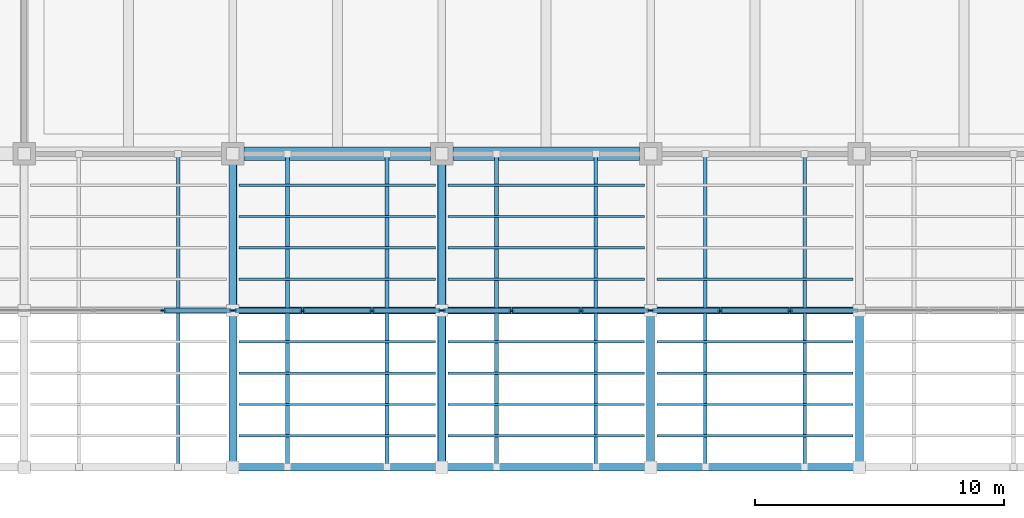
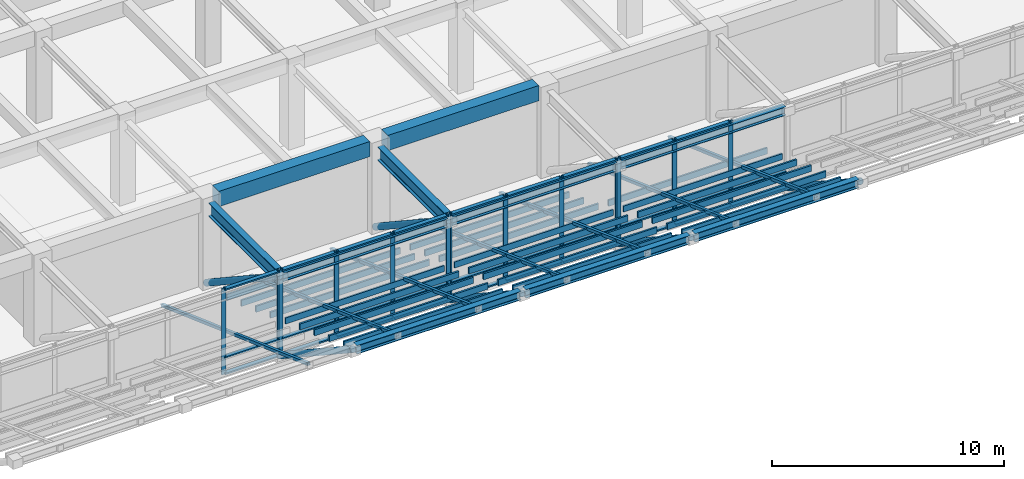
# One storey, part 11 of 52: 79 members, 10 beams, 4 elements without a shape of their own.
"""IFC4 building model written with IfcOpenShell, lengths in metres."""

from ifc_helpers import new_model, si_unit, direction, frame, origin, origin_2d, place, context, subcontext, project, spatial, rectangle, hollow_rectangle, hollow_circle, i_section, extrude, material, material_profile, profile_set, type_object, element, aggregate, save


model = new_model("IFC4")

# Units and contexts
model_context = context("Model", 3, precision=1e-05, world=origin(), true_north=direction((0.0, 1.0)))
body_context = subcontext(model_context, "Body", "Model", "MODEL_VIEW")
ifc_project = project(units=[si_unit("LENGTHUNIT", "METRE"), si_unit("AREAUNIT", "SQUARE_METRE"), si_unit("VOLUMEUNIT", "CUBIC_METRE"), si_unit("PLANEANGLEUNIT", "RADIAN"), si_unit("MASSUNIT", "GRAM", prefix="KILO")], contexts=[model_context])

# Site, building, storey
site_placement = place(None, origin())
site = spatial("IfcSite", under=ifc_project, at=site_placement, CompositionType="ELEMENT")
building_placement = place(site_placement, origin())
building = spatial("IfcBuilding", under=site, at=building_placement, Name="Kenerak Square Central Library", CompositionType="ELEMENT")
storey_placement = place(building_placement, frame((0.0, 0.0, 4.800048828125)))
storey = spatial("IfcBuildingStorey", under=building, at=storey_placement, Name="L01", CompositionType="ELEMENT", Elevation=4.800048828125)

# Members
ifc_material_1 = material(Name="Chengal hardwood timber SG1", Category="wood")
ifc_material_profile_1 = material_profile(ifc_material_1, rectangle(XDim=0.090087890625, YDim=0.320068359375, at=origin_2d()), Name="CHENGAL 90x320")
ifc_profile_set_1 = profile_set([ifc_material_profile_1], Name="Chengal hardwood timber SG1")
member_type_1 = type_object("IfcMemberType", Name="Chengal Timber Louvre Blade CL-01 90x320", PredefinedType="USERDEFINED", material=ifc_profile_set_1)
for number, where, z_axis, x_axis, name in (
    (1, (75.449951171875, 15.5400390625, -0.0849609375), (1.0, 0.0, 0.0), (0.0, 1.0, 0.0), "Chengal Soffit Louvre Blade CL-01 0025"),
    (2, (75.449951171875, 14.280029296875, 0.369873046875), (1.0, 0.0, 0.0), (0.0, 1.0, 0.0), "Chengal Soffit Louvre Blade CL-01 0026"),
    (3, (75.449951171875, 13.02001953125, 0.824951171875), (1.0, 0.0, 0.0), (0.0, 1.0, 0.0), "Chengal Soffit Louvre Blade CL-01 0027"),
    (4, (75.449951171875, 11.760009765625, 1.280029296875), (1.0, 0.0, 0.0), (0.0, 1.0, 0.0), "Chengal Soffit Louvre Blade CL-01 0028"),
    (5, (75.449951171875, 10.5, 1.73486328125), (1.0, 0.0, 0.0), (0.0, 1.0, 0.0), "Chengal Soffit Louvre Blade CL-01 0029"),
    (6, (75.449951171875, 9.239990234375, 2.18994140625), (1.0, 0.0, 0.0), (0.0, 1.0, 0.0), "Chengal Soffit Louvre Blade CL-01 0030"),
    (7, (75.449951171875, 7.97998046875, 2.64501953125), (1.0, 0.0, 0.0), (0.0, 1.0, 0.0), "Chengal Soffit Louvre Blade CL-01 0031"),
    (8, (75.449951171875, 6.719970703125, 3.099853515625), (1.0, 0.0, 0.0), (0.0, 1.0, 0.0), "Chengal Soffit Louvre Blade CL-01 0032"),
    (9, (75.449951171875, 5.4599609375, 3.554931640625), (1.0, 0.0, 0.0), (0.0, 1.0, 0.0), "Chengal Soffit Louvre Blade CL-01 0033"),
):
    element("IfcMember", number, at=place(storey_placement, frame(where, z_axis=z_axis, x_axis=x_axis)), inside=storey, type_object=member_type_1, Name=name, ObjectType="LOUVRE BLADE", PredefinedType="USERDEFINED", context=body_context, shape_type="SweptSolid", body=[
        extrude(rectangle(XDim=0.090087890625, YDim=0.320068359375, at=origin_2d()), origin(), (0.0, 0.0, 1.0), 7.900146484375),
    ])
for number, where, z_axis, x_axis, name in (
    (10, (83.85009765625, 15.5400390625, -0.0849609375), (1.0, 0.0, 0.0), (0.0, 1.0, 0.0), "Chengal Soffit Louvre Blade CL-01 0036"),
    (11, (83.85009765625, 14.280029296875, 0.369873046875), (1.0, 0.0, 0.0), (0.0, 1.0, 0.0), "Chengal Soffit Louvre Blade CL-01 0037"),
    (12, (83.85009765625, 13.02001953125, 0.824951171875), (1.0, 0.0, 0.0), (0.0, 1.0, 0.0), "Chengal Soffit Louvre Blade CL-01 0038"),
    (13, (83.85009765625, 11.760009765625, 1.280029296875), (1.0, 0.0, 0.0), (0.0, 1.0, 0.0), "Chengal Soffit Louvre Blade CL-01 0039"),
    (14, (83.85009765625, 10.5, 1.73486328125), (1.0, 0.0, 0.0), (0.0, 1.0, 0.0), "Chengal Soffit Louvre Blade CL-01 0040"),
    (15, (83.85009765625, 9.239990234375, 2.18994140625), (1.0, 0.0, 0.0), (0.0, 1.0, 0.0), "Chengal Soffit Louvre Blade CL-01 0041"),
    (16, (83.85009765625, 7.97998046875, 2.64501953125), (1.0, 0.0, 0.0), (0.0, 1.0, 0.0), "Chengal Soffit Louvre Blade CL-01 0042"),
    (17, (83.85009765625, 6.719970703125, 3.099853515625), (1.0, 0.0, 0.0), (0.0, 1.0, 0.0), "Chengal Soffit Louvre Blade CL-01 0043"),
    (18, (83.85009765625, 5.4599609375, 3.554931640625), (1.0, 0.0, 0.0), (0.0, 1.0, 0.0), "Chengal Soffit Louvre Blade CL-01 0044"),
    (19, (92.25, 11.760009765625, 1.280029296875), (1.0, 0.0, 0.0), (0.0, 1.0, 0.0), "Chengal Soffit Louvre Blade CL-01 0050"),
    (20, (92.25, 10.5, 1.73486328125), (1.0, 0.0, 0.0), (0.0, 1.0, 0.0), "Chengal Soffit Louvre Blade CL-01 0051"),
    (21, (92.25, 9.239990234375, 2.18994140625), (1.0, 0.0, 0.0), (0.0, 1.0, 0.0), "Chengal Soffit Louvre Blade CL-01 0052"),
    (22, (92.25, 7.97998046875, 2.64501953125), (1.0, 0.0, 0.0), (0.0, 1.0, 0.0), "Chengal Soffit Louvre Blade CL-01 0053"),
    (23, (92.25, 6.719970703125, 3.099853515625), (1.0, 0.0, 0.0), (0.0, 1.0, 0.0), "Chengal Soffit Louvre Blade CL-01 0054"),
    (24, (92.25, 5.4599609375, 3.554931640625), (1.0, 0.0, 0.0), (0.0, 1.0, 0.0), "Chengal Soffit Louvre Blade CL-01 0055"),
):
    element("IfcMember", number, at=place(storey_placement, frame(where, z_axis=z_axis, x_axis=x_axis)), inside=storey, type_object=member_type_1, Name=name, ObjectType="LOUVRE BLADE", PredefinedType="USERDEFINED", context=body_context, shape_type="SweptSolid", body=[
        extrude(rectangle(XDim=0.090087890625, YDim=0.320068359375, at=origin_2d()), origin(), (0.0, 0.0, 1.0), 7.89990234375),
    ])

# Curtain wall, members
ifc_material_2 = material(Name="Anodised aluminium and solar-control low-E glazing", Category="aluminium")
curtain_wall_type = type_object("IfcCurtainWallType", Name="Curtain Wall CW-V1-84x45 8400x4500", PredefinedType="USERDEFINED", material=ifc_material_2)
curtain_wall_1_placement = place(storey_placement, origin())
curtain_wall_1 = element("IfcCurtainWall", 25, at=curtain_wall_1_placement, inside=storey, type_object=curtain_wall_type, Name="Curtain Wall CW-V1-84x45 L01 0050", ObjectType="CURTAIN WALL", PredefinedType="USERDEFINED")
ifc_material_3 = material(Name="Anodised aluminium 6063-T6", Category="aluminium")
ifc_material_profile_2 = material_profile(ifc_material_3, rectangle(XDim=0.074951171875, YDim=0.219970703125, at=origin_2d()), Name="AL MULLION 75x220")
ifc_profile_set_2 = profile_set([ifc_material_profile_2], Name="Anodised aluminium 6063-T6")
member_type_2 = type_object("IfcMemberType", Name="Curtain Mullion CM-02 75x220", PredefinedType="MULLION", material=ifc_profile_set_2)
member_1_placement = place(storey_placement, frame((97.60009765625, 10.5, 0.0), z_axis=(0.0, 0.0, 1.0), x_axis=(0.0, -1.0, 0.0)))
member_1 = element("IfcMember", 26, at=member_1_placement, type_object=member_type_2, Name="CW-V1-84x45 Mullion 2", PredefinedType="MULLION", context=body_context, shape_type="SweptSolid", body=[
    extrude(rectangle(XDim=0.074951171875, YDim=0.219970703125, at=origin_2d()), origin(), (0.0, 0.0, 1.0), 4.5),
])
member_2_placement = place(storey_placement, frame((94.800048828125, 10.5, 0.0), z_axis=(0.0, 0.0, 1.0), x_axis=(0.0, -1.0, 0.0)))
member_2 = element("IfcMember", 27, at=member_2_placement, type_object=member_type_2, Name="CW-V1-84x45 Mullion 3", PredefinedType="MULLION", context=body_context, shape_type="SweptSolid", body=[
    extrude(rectangle(XDim=0.074951171875, YDim=0.219970703125, at=origin_2d()), origin(), (0.0, 0.0, 1.0), 4.5),
])
member_3_placement = place(storey_placement, frame((92.03759765625, 10.5, 0.0), z_axis=(0.0, 0.0, 1.0), x_axis=(0.0, -1.0, 0.0)))
member_3 = element("IfcMember", 28, at=member_3_placement, type_object=member_type_2, Name="CW-V1-84x45 Mullion 4", PredefinedType="MULLION", context=body_context, shape_type="SweptSolid", body=[
    extrude(rectangle(XDim=0.074951171875, YDim=0.219970703125, at=origin_2d()), origin(), (0.0, 0.0, 1.0), 4.5),
])

curtain_wall_2_placement = place(storey_placement, origin())
curtain_wall_2 = element("IfcCurtainWall", 29, at=curtain_wall_2_placement, inside=storey, type_object=curtain_wall_type, Name="Curtain Wall CW-V1-84x45 L01 0051", ObjectType="CURTAIN WALL", PredefinedType="USERDEFINED")
member_4_placement = place(storey_placement, frame((91.96240234375, 10.5, 0.0), z_axis=(0.0, 0.0, 1.0), x_axis=(0.0, -1.0, 0.0)))
member_4 = element("IfcMember", 30, at=member_4_placement, type_object=member_type_2, Name="CW-V1-84x45 Mullion 1", PredefinedType="MULLION", context=body_context, shape_type="SweptSolid", body=[
    extrude(rectangle(XDim=0.074951171875, YDim=0.219970703125, at=origin_2d()), origin(), (0.0, 0.0, 1.0), 4.5),
])
member_5_placement = place(storey_placement, frame((89.199951171875, 10.5, 0.0), z_axis=(0.0, 0.0, 1.0), x_axis=(0.0, -1.0, 0.0)))
member_5 = element("IfcMember", 31, at=member_5_placement, type_object=member_type_2, Name="CW-V1-84x45 Mullion 2", PredefinedType="MULLION", context=body_context, shape_type="SweptSolid", body=[
    extrude(rectangle(XDim=0.074951171875, YDim=0.219970703125, at=origin_2d()), origin(), (0.0, 0.0, 1.0), 4.5),
])
member_6_placement = place(storey_placement, frame((86.39990234375, 10.5, 0.0), z_axis=(0.0, 0.0, 1.0), x_axis=(0.0, -1.0, 0.0)))
member_6 = element("IfcMember", 32, at=member_6_placement, type_object=member_type_2, Name="CW-V1-84x45 Mullion 3", PredefinedType="MULLION", context=body_context, shape_type="SweptSolid", body=[
    extrude(rectangle(XDim=0.074951171875, YDim=0.219970703125, at=origin_2d()), origin(), (0.0, 0.0, 1.0), 4.5),
])
member_7_placement = place(storey_placement, frame((83.637451171875, 10.5, 0.0), z_axis=(0.0, 0.0, 1.0), x_axis=(0.0, -1.0, 0.0)))
member_7 = element("IfcMember", 33, at=member_7_placement, type_object=member_type_2, Name="CW-V1-84x45 Mullion 4", PredefinedType="MULLION", context=body_context, shape_type="SweptSolid", body=[
    extrude(rectangle(XDim=0.074951171875, YDim=0.219970703125, at=origin_2d()), origin(), (0.0, 0.0, 1.0), 4.5),
])

curtain_wall_3_placement = place(storey_placement, origin())
curtain_wall_3 = element("IfcCurtainWall", 34, at=curtain_wall_3_placement, inside=storey, type_object=curtain_wall_type, Name="Curtain Wall CW-V1-84x45 L01 0052", ObjectType="CURTAIN WALL", PredefinedType="USERDEFINED")
member_8_placement = place(storey_placement, frame((83.5625, 10.5, 0.0), z_axis=(0.0, 0.0, 1.0), x_axis=(0.0, -1.0, 0.0)))
member_8 = element("IfcMember", 35, at=member_8_placement, type_object=member_type_2, Name="CW-V1-84x45 Mullion 1", PredefinedType="MULLION", context=body_context, shape_type="SweptSolid", body=[
    extrude(rectangle(XDim=0.074951171875, YDim=0.219970703125, at=origin_2d()), origin(), (0.0, 0.0, 1.0), 4.5),
])
member_9_placement = place(storey_placement, frame((80.800048828125, 10.5, 0.0), z_axis=(0.0, 0.0, 1.0), x_axis=(0.0, -1.0, 0.0)))
member_9 = element("IfcMember", 36, at=member_9_placement, type_object=member_type_2, Name="CW-V1-84x45 Mullion 2", PredefinedType="MULLION", context=body_context, shape_type="SweptSolid", body=[
    extrude(rectangle(XDim=0.074951171875, YDim=0.219970703125, at=origin_2d()), origin(), (0.0, 0.0, 1.0), 4.5),
])
member_10_placement = place(storey_placement, frame((78.0, 10.5, 0.0), z_axis=(0.0, 0.0, 1.0), x_axis=(0.0, -1.0, 0.0)))
member_10 = element("IfcMember", 37, at=member_10_placement, type_object=member_type_2, Name="CW-V1-84x45 Mullion 3", PredefinedType="MULLION", context=body_context, shape_type="SweptSolid", body=[
    extrude(rectangle(XDim=0.074951171875, YDim=0.219970703125, at=origin_2d()), origin(), (0.0, 0.0, 1.0), 4.5),
])
member_11_placement = place(storey_placement, frame((75.237548828125, 10.5, 0.0), z_axis=(0.0, 0.0, 1.0), x_axis=(0.0, -1.0, 0.0)))
member_11 = element("IfcMember", 38, at=member_11_placement, type_object=member_type_2, Name="CW-V1-84x45 Mullion 4", PredefinedType="MULLION", context=body_context, shape_type="SweptSolid", body=[
    extrude(rectangle(XDim=0.074951171875, YDim=0.219970703125, at=origin_2d()), origin(), (0.0, 0.0, 1.0), 4.5),
])

curtain_wall_4_placement = place(storey_placement, origin())
curtain_wall_4 = element("IfcCurtainWall", 39, at=curtain_wall_4_placement, inside=storey, type_object=curtain_wall_type, Name="Curtain Wall CW-V1-84x45 L01 0053", ObjectType="CURTAIN WALL", PredefinedType="USERDEFINED")
member_12_placement = place(storey_placement, frame((75.16259765625, 10.5, 0.0), z_axis=(0.0, 0.0, 1.0), x_axis=(0.0, -1.0, 0.0)))
member_12 = element("IfcMember", 40, at=member_12_placement, type_object=member_type_2, Name="CW-V1-84x45 Mullion 1", PredefinedType="MULLION", context=body_context, shape_type="SweptSolid", body=[
    extrude(rectangle(XDim=0.074951171875, YDim=0.219970703125, at=origin_2d()), origin(), (0.0, 0.0, 1.0), 4.5),
])
member_13_placement = place(storey_placement, frame((72.39990234375, 10.5, 0.0), z_axis=(0.0, 0.0, 1.0), x_axis=(0.0, -1.0, 0.0)))
member_13 = element("IfcMember", 41, at=member_13_placement, type_object=member_type_2, Name="CW-V1-84x45 Mullion 2", PredefinedType="MULLION", context=body_context, shape_type="SweptSolid", body=[
    extrude(rectangle(XDim=0.074951171875, YDim=0.219970703125, at=origin_2d()), origin(), (0.0, 0.0, 1.0), 4.5),
])

# Member
ifc_material_profile_3 = material_profile(ifc_material_3, rectangle(XDim=0.199951171875, YDim=0.074951171875, at=origin_2d()), Name="AL TRANSOM 200x75")
ifc_profile_set_3 = profile_set([ifc_material_profile_3], Name="Anodised aluminium 6063-T6")
member_type_3 = type_object("IfcMemberType", Name="Curtain Transom CT-12 200x75", PredefinedType="USERDEFINED", material=ifc_profile_set_3)
member_14_placement = place(storey_placement, frame((100.324951171875, 10.5, 0.037353515625), z_axis=(-1.0, 0.0, 0.0), x_axis=(0.0, -1.0, 0.0)))
member_14 = element("IfcMember", 42, at=member_14_placement, type_object=member_type_3, Name="CW-V1-84x45 Transom 1.1", ObjectType="TRANSOM", PredefinedType="USERDEFINED", context=body_context, shape_type="SweptSolid", body=[
    extrude(rectangle(XDim=0.199951171875, YDim=0.074951171875, at=origin_2d()), origin(), (0.0, 0.0, 1.0), 2.6875),
])

member_15_placement = place(storey_placement, frame((100.324951171875, 10.5, 0.89990234375), z_axis=(-1.0, 0.0, 0.0), x_axis=(0.0, -1.0, 0.0)))
member_15 = element("IfcMember", 43, at=member_15_placement, type_object=member_type_3, Name="CW-V1-84x45 Transom 1.2", ObjectType="TRANSOM", PredefinedType="USERDEFINED", context=body_context, shape_type="SweptSolid", body=[
    extrude(rectangle(XDim=0.199951171875, YDim=0.074951171875, at=origin_2d()), origin(), (0.0, 0.0, 1.0), 2.6875),
])

member_16_placement = place(storey_placement, frame((97.5625, 10.5, 0.037353515625), z_axis=(-1.0, 0.0, 0.0), x_axis=(0.0, -1.0, 0.0)))
member_16 = element("IfcMember", 44, at=member_16_placement, type_object=member_type_3, Name="CW-V1-84x45 Transom 2.1", ObjectType="TRANSOM", PredefinedType="USERDEFINED", context=body_context, shape_type="SweptSolid", body=[
    extrude(rectangle(XDim=0.199951171875, YDim=0.074951171875, at=origin_2d()), origin(), (0.0, 0.0, 1.0), 2.72509765625),
])

member_17_placement = place(storey_placement, frame((97.5625, 10.5, 0.89990234375), z_axis=(-1.0, 0.0, 0.0), x_axis=(0.0, -1.0, 0.0)))
member_17 = element("IfcMember", 45, at=member_17_placement, type_object=member_type_3, Name="CW-V1-84x45 Transom 2.2", ObjectType="TRANSOM", PredefinedType="USERDEFINED", context=body_context, shape_type="SweptSolid", body=[
    extrude(rectangle(XDim=0.199951171875, YDim=0.074951171875, at=origin_2d()), origin(), (0.0, 0.0, 1.0), 2.72509765625),
])

member_18_placement = place(storey_placement, frame((97.5625, 10.5, 4.46240234375), z_axis=(-1.0, 0.0, 0.0), x_axis=(0.0, -1.0, 0.0)))
member_18 = element("IfcMember", 46, at=member_18_placement, type_object=member_type_3, Name="CW-V1-84x45 Transom 2.3", ObjectType="TRANSOM", PredefinedType="USERDEFINED", context=body_context, shape_type="SweptSolid", body=[
    extrude(rectangle(XDim=0.199951171875, YDim=0.074951171875, at=origin_2d()), origin(), (0.0, 0.0, 1.0), 2.72509765625),
])

member_19_placement = place(storey_placement, frame((94.762451171875, 10.5, 0.037353515625), z_axis=(-1.0, 0.0, 0.0), x_axis=(0.0, -1.0, 0.0)))
member_19 = element("IfcMember", 47, at=member_19_placement, type_object=member_type_3, Name="CW-V1-84x45 Transom 3.1", ObjectType="TRANSOM", PredefinedType="USERDEFINED", context=body_context, shape_type="SweptSolid", body=[
    extrude(rectangle(XDim=0.199951171875, YDim=0.074951171875, at=origin_2d()), origin(), (0.0, 0.0, 1.0), 2.6875),
])

member_20_placement = place(storey_placement, frame((94.762451171875, 10.5, 0.89990234375), z_axis=(-1.0, 0.0, 0.0), x_axis=(0.0, -1.0, 0.0)))
member_20 = element("IfcMember", 48, at=member_20_placement, type_object=member_type_3, Name="CW-V1-84x45 Transom 3.2", ObjectType="TRANSOM", PredefinedType="USERDEFINED", context=body_context, shape_type="SweptSolid", body=[
    extrude(rectangle(XDim=0.199951171875, YDim=0.074951171875, at=origin_2d()), origin(), (0.0, 0.0, 1.0), 2.6875),
])

member_21_placement = place(storey_placement, frame((94.762451171875, 10.5, 4.46240234375), z_axis=(-1.0, 0.0, 0.0), x_axis=(0.0, -1.0, 0.0)))
member_21 = element("IfcMember", 49, at=member_21_placement, type_object=member_type_3, Name="CW-V1-84x45 Transom 3.3", ObjectType="TRANSOM", PredefinedType="USERDEFINED", context=body_context, shape_type="SweptSolid", body=[
    extrude(rectangle(XDim=0.199951171875, YDim=0.074951171875, at=origin_2d()), origin(), (0.0, 0.0, 1.0), 2.6875),
])

aggregate(curtain_wall_1, [member_1, member_2, member_3, member_14, member_15, member_16, member_17, member_18, member_19, member_20, member_21])

member_22_placement = place(storey_placement, frame((91.925048828125, 10.5, 0.037353515625), z_axis=(-1.0, 0.0, 0.0), x_axis=(0.0, -1.0, 0.0)))
member_22 = element("IfcMember", 50, at=member_22_placement, type_object=member_type_3, Name="CW-V1-84x45 Transom 1.1", ObjectType="TRANSOM", PredefinedType="USERDEFINED", context=body_context, shape_type="SweptSolid", body=[
    extrude(rectangle(XDim=0.199951171875, YDim=0.074951171875, at=origin_2d()), origin(), (0.0, 0.0, 1.0), 2.6875),
])

member_23_placement = place(storey_placement, frame((91.925048828125, 10.5, 0.89990234375), z_axis=(-1.0, 0.0, 0.0), x_axis=(0.0, -1.0, 0.0)))
member_23 = element("IfcMember", 51, at=member_23_placement, type_object=member_type_3, Name="CW-V1-84x45 Transom 1.2", ObjectType="TRANSOM", PredefinedType="USERDEFINED", context=body_context, shape_type="SweptSolid", body=[
    extrude(rectangle(XDim=0.199951171875, YDim=0.074951171875, at=origin_2d()), origin(), (0.0, 0.0, 1.0), 2.6875),
])

member_24_placement = place(storey_placement, frame((91.925048828125, 10.5, 4.46240234375), z_axis=(-1.0, 0.0, 0.0), x_axis=(0.0, -1.0, 0.0)))
member_24 = element("IfcMember", 52, at=member_24_placement, type_object=member_type_3, Name="CW-V1-84x45 Transom 1.3", ObjectType="TRANSOM", PredefinedType="USERDEFINED", context=body_context, shape_type="SweptSolid", body=[
    extrude(rectangle(XDim=0.199951171875, YDim=0.074951171875, at=origin_2d()), origin(), (0.0, 0.0, 1.0), 2.6875),
])

member_25_placement = place(storey_placement, frame((89.16259765625, 10.5, 0.037353515625), z_axis=(-1.0, 0.0, 0.0), x_axis=(0.0, -1.0, 0.0)))
member_25 = element("IfcMember", 53, at=member_25_placement, type_object=member_type_3, Name="CW-V1-84x45 Transom 2.1", ObjectType="TRANSOM", PredefinedType="USERDEFINED", context=body_context, shape_type="SweptSolid", body=[
    extrude(rectangle(XDim=0.199951171875, YDim=0.074951171875, at=origin_2d()), origin(), (0.0, 0.0, 1.0), 2.72509765625),
])

member_26_placement = place(storey_placement, frame((89.16259765625, 10.5, 0.89990234375), z_axis=(-1.0, 0.0, 0.0), x_axis=(0.0, -1.0, 0.0)))
member_26 = element("IfcMember", 54, at=member_26_placement, type_object=member_type_3, Name="CW-V1-84x45 Transom 2.2", ObjectType="TRANSOM", PredefinedType="USERDEFINED", context=body_context, shape_type="SweptSolid", body=[
    extrude(rectangle(XDim=0.199951171875, YDim=0.074951171875, at=origin_2d()), origin(), (0.0, 0.0, 1.0), 2.72509765625),
])

member_27_placement = place(storey_placement, frame((89.16259765625, 10.5, 4.46240234375), z_axis=(-1.0, 0.0, 0.0), x_axis=(0.0, -1.0, 0.0)))
member_27 = element("IfcMember", 55, at=member_27_placement, type_object=member_type_3, Name="CW-V1-84x45 Transom 2.3", ObjectType="TRANSOM", PredefinedType="USERDEFINED", context=body_context, shape_type="SweptSolid", body=[
    extrude(rectangle(XDim=0.199951171875, YDim=0.074951171875, at=origin_2d()), origin(), (0.0, 0.0, 1.0), 2.72509765625),
])

member_28_placement = place(storey_placement, frame((86.362548828125, 10.5, 0.037353515625), z_axis=(-1.0, 0.0, 0.0), x_axis=(0.0, -1.0, 0.0)))
member_28 = element("IfcMember", 56, at=member_28_placement, type_object=member_type_3, Name="CW-V1-84x45 Transom 3.1", ObjectType="TRANSOM", PredefinedType="USERDEFINED", context=body_context, shape_type="SweptSolid", body=[
    extrude(rectangle(XDim=0.199951171875, YDim=0.074951171875, at=origin_2d()), origin(), (0.0, 0.0, 1.0), 2.6875),
])

member_29_placement = place(storey_placement, frame((86.362548828125, 10.5, 0.89990234375), z_axis=(-1.0, 0.0, 0.0), x_axis=(0.0, -1.0, 0.0)))
member_29 = element("IfcMember", 57, at=member_29_placement, type_object=member_type_3, Name="CW-V1-84x45 Transom 3.2", ObjectType="TRANSOM", PredefinedType="USERDEFINED", context=body_context, shape_type="SweptSolid", body=[
    extrude(rectangle(XDim=0.199951171875, YDim=0.074951171875, at=origin_2d()), origin(), (0.0, 0.0, 1.0), 2.6875),
])

member_30_placement = place(storey_placement, frame((86.362548828125, 10.5, 4.46240234375), z_axis=(-1.0, 0.0, 0.0), x_axis=(0.0, -1.0, 0.0)))
member_30 = element("IfcMember", 58, at=member_30_placement, type_object=member_type_3, Name="CW-V1-84x45 Transom 3.3", ObjectType="TRANSOM", PredefinedType="USERDEFINED", context=body_context, shape_type="SweptSolid", body=[
    extrude(rectangle(XDim=0.199951171875, YDim=0.074951171875, at=origin_2d()), origin(), (0.0, 0.0, 1.0), 2.6875),
])

aggregate(curtain_wall_2, [member_4, member_5, member_6, member_7, member_22, member_23, member_24, member_25, member_26, member_27, member_28, member_29, member_30])

member_31_placement = place(storey_placement, frame((83.52490234375, 10.5, 0.037353515625), z_axis=(-1.0, 0.0, 0.0), x_axis=(0.0, -1.0, 0.0)))
member_31 = element("IfcMember", 59, at=member_31_placement, type_object=member_type_3, Name="CW-V1-84x45 Transom 1.1", ObjectType="TRANSOM", PredefinedType="USERDEFINED", context=body_context, shape_type="SweptSolid", body=[
    extrude(rectangle(XDim=0.199951171875, YDim=0.074951171875, at=origin_2d()), origin(), (0.0, 0.0, 1.0), 2.6875),
])

member_32_placement = place(storey_placement, frame((83.52490234375, 10.5, 0.89990234375), z_axis=(-1.0, 0.0, 0.0), x_axis=(0.0, -1.0, 0.0)))
member_32 = element("IfcMember", 60, at=member_32_placement, type_object=member_type_3, Name="CW-V1-84x45 Transom 1.2", ObjectType="TRANSOM", PredefinedType="USERDEFINED", context=body_context, shape_type="SweptSolid", body=[
    extrude(rectangle(XDim=0.199951171875, YDim=0.074951171875, at=origin_2d()), origin(), (0.0, 0.0, 1.0), 2.6875),
])

member_33_placement = place(storey_placement, frame((83.52490234375, 10.5, 4.46240234375), z_axis=(-1.0, 0.0, 0.0), x_axis=(0.0, -1.0, 0.0)))
member_33 = element("IfcMember", 61, at=member_33_placement, type_object=member_type_3, Name="CW-V1-84x45 Transom 1.3", ObjectType="TRANSOM", PredefinedType="USERDEFINED", context=body_context, shape_type="SweptSolid", body=[
    extrude(rectangle(XDim=0.199951171875, YDim=0.074951171875, at=origin_2d()), origin(), (0.0, 0.0, 1.0), 2.6875),
])

member_34_placement = place(storey_placement, frame((80.762451171875, 10.5, 0.037353515625), z_axis=(-1.0, 0.0, 0.0), x_axis=(0.0, -1.0, 0.0)))
member_34 = element("IfcMember", 62, at=member_34_placement, type_object=member_type_3, Name="CW-V1-84x45 Transom 2.1", ObjectType="TRANSOM", PredefinedType="USERDEFINED", context=body_context, shape_type="SweptSolid", body=[
    extrude(rectangle(XDim=0.199951171875, YDim=0.074951171875, at=origin_2d()), origin(), (0.0, 0.0, 1.0), 2.724853515625),
])

member_35_placement = place(storey_placement, frame((80.762451171875, 10.5, 0.89990234375), z_axis=(-1.0, 0.0, 0.0), x_axis=(0.0, -1.0, 0.0)))
member_35 = element("IfcMember", 63, at=member_35_placement, type_object=member_type_3, Name="CW-V1-84x45 Transom 2.2", ObjectType="TRANSOM", PredefinedType="USERDEFINED", context=body_context, shape_type="SweptSolid", body=[
    extrude(rectangle(XDim=0.199951171875, YDim=0.074951171875, at=origin_2d()), origin(), (0.0, 0.0, 1.0), 2.724853515625),
])

member_36_placement = place(storey_placement, frame((80.762451171875, 10.5, 4.46240234375), z_axis=(-1.0, 0.0, 0.0), x_axis=(0.0, -1.0, 0.0)))
member_36 = element("IfcMember", 64, at=member_36_placement, type_object=member_type_3, Name="CW-V1-84x45 Transom 2.3", ObjectType="TRANSOM", PredefinedType="USERDEFINED", context=body_context, shape_type="SweptSolid", body=[
    extrude(rectangle(XDim=0.199951171875, YDim=0.074951171875, at=origin_2d()), origin(), (0.0, 0.0, 1.0), 2.724853515625),
])

member_37_placement = place(storey_placement, frame((77.96240234375, 10.5, 0.037353515625), z_axis=(-1.0, 0.0, 0.0), x_axis=(0.0, -1.0, 0.0)))
member_37 = element("IfcMember", 65, at=member_37_placement, type_object=member_type_3, Name="CW-V1-84x45 Transom 3.1", ObjectType="TRANSOM", PredefinedType="USERDEFINED", context=body_context, shape_type="SweptSolid", body=[
    extrude(rectangle(XDim=0.199951171875, YDim=0.074951171875, at=origin_2d()), origin(), (0.0, 0.0, 1.0), 2.6875),
])

member_38_placement = place(storey_placement, frame((77.96240234375, 10.5, 0.89990234375), z_axis=(-1.0, 0.0, 0.0), x_axis=(0.0, -1.0, 0.0)))
member_38 = element("IfcMember", 66, at=member_38_placement, type_object=member_type_3, Name="CW-V1-84x45 Transom 3.2", ObjectType="TRANSOM", PredefinedType="USERDEFINED", context=body_context, shape_type="SweptSolid", body=[
    extrude(rectangle(XDim=0.199951171875, YDim=0.074951171875, at=origin_2d()), origin(), (0.0, 0.0, 1.0), 2.6875),
])

member_39_placement = place(storey_placement, frame((77.96240234375, 10.5, 4.46240234375), z_axis=(-1.0, 0.0, 0.0), x_axis=(0.0, -1.0, 0.0)))
member_39 = element("IfcMember", 67, at=member_39_placement, type_object=member_type_3, Name="CW-V1-84x45 Transom 3.3", ObjectType="TRANSOM", PredefinedType="USERDEFINED", context=body_context, shape_type="SweptSolid", body=[
    extrude(rectangle(XDim=0.199951171875, YDim=0.074951171875, at=origin_2d()), origin(), (0.0, 0.0, 1.0), 2.6875),
])

aggregate(curtain_wall_3, [member_8, member_9, member_10, member_11, member_31, member_32, member_33, member_34, member_35, member_36, member_37, member_38, member_39])

member_40_placement = place(storey_placement, frame((75.125, 10.5, 0.037353515625), z_axis=(-1.0, 0.0, 0.0), x_axis=(0.0, -1.0, 0.0)))
member_40 = element("IfcMember", 68, at=member_40_placement, type_object=member_type_3, Name="CW-V1-84x45 Transom 1.1", ObjectType="TRANSOM", PredefinedType="USERDEFINED", context=body_context, shape_type="SweptSolid", body=[
    extrude(rectangle(XDim=0.199951171875, YDim=0.074951171875, at=origin_2d()), origin(), (0.0, 0.0, 1.0), 2.6875),
])

member_41_placement = place(storey_placement, frame((75.125, 10.5, 0.89990234375), z_axis=(-1.0, 0.0, 0.0), x_axis=(0.0, -1.0, 0.0)))
member_41 = element("IfcMember", 69, at=member_41_placement, type_object=member_type_3, Name="CW-V1-84x45 Transom 1.2", ObjectType="TRANSOM", PredefinedType="USERDEFINED", context=body_context, shape_type="SweptSolid", body=[
    extrude(rectangle(XDim=0.199951171875, YDim=0.074951171875, at=origin_2d()), origin(), (0.0, 0.0, 1.0), 2.6875),
])

member_42_placement = place(storey_placement, frame((75.125, 10.5, 4.46240234375), z_axis=(-1.0, 0.0, 0.0), x_axis=(0.0, -1.0, 0.0)))
member_42 = element("IfcMember", 70, at=member_42_placement, type_object=member_type_3, Name="CW-V1-84x45 Transom 1.3", ObjectType="TRANSOM", PredefinedType="USERDEFINED", context=body_context, shape_type="SweptSolid", body=[
    extrude(rectangle(XDim=0.199951171875, YDim=0.074951171875, at=origin_2d()), origin(), (0.0, 0.0, 1.0), 2.6875),
])

aggregate(curtain_wall_4, [member_12, member_13, member_40, member_41, member_42])

# Beams
ifc_material_4 = material(Name="Steel S355", Category="steel")
ifc_material_profile_4 = material_profile(ifc_material_4, i_section(OverallWidth=0.300048828125, OverallDepth=0.449951171875, WebThickness=0.013916015625, FlangeThickness=0.02587890625, FilletRadius=0.027099609375, at=origin_2d()), Name="HEB 450")
ifc_profile_set_4 = profile_set([ifc_material_profile_4], Name="Steel S355")
beam_type_1 = type_object("IfcBeamType", Name="Overhang Cross Girder SB-04 HEB 450 S355", PredefinedType="BEAM", material=ifc_profile_set_4)
for number, where, z_axis, x_axis, name in (
    (71, (75.320068359375, 4.199951171875, 4.14990234375), (1.0, 0.0, 0.0), (0.0, 1.0, 0.0), "Overhang Cross Girder SB-04 L01 1707"),
    (72, (83.719970703125, 4.199951171875, 4.14990234375), (1.0, 0.0, 0.0), (0.0, 1.0, 0.0), "Overhang Cross Girder SB-04 L01 1708"),
    (73, (92.1201171875, 4.199951171875, 4.14990234375), (1.0, 0.0, 0.0), (0.0, 1.0, 0.0), "Overhang Cross Girder SB-04 L01 1709"),
    (74, (75.320068359375, 10.5, 4.14990234375), (1.0, 0.0, 0.0), (0.0, 1.0, 0.0), "Overhang Cross Girder SB-04 L01 1714"),
    (75, (83.719970703125, 10.5, 4.14990234375), (1.0, 0.0, 0.0), (0.0, 1.0, 0.0), "Overhang Cross Girder SB-04 L01 1715"),
    (76, (92.1201171875, 10.5, 4.14990234375), (1.0, 0.0, 0.0), (0.0, 1.0, 0.0), "Overhang Cross Girder SB-04 L01 1716"),
):
    element("IfcBeam", number, at=place(storey_placement, frame(where, z_axis=z_axis, x_axis=x_axis)), inside=storey, type_object=beam_type_1, Name=name, PredefinedType="BEAM", context=body_context, shape_type="SweptSolid", body=[
        extrude(i_section(OverallWidth=0.300048828125, OverallDepth=0.449951171875, WebThickness=0.013916015625, FlangeThickness=0.02587890625, FilletRadius=0.027099609375, at=origin_2d()), origin(), (0.0, 0.0, 1.0), 8.159912109375),
    ])
ifc_material_profile_5 = material_profile(ifc_material_4, i_section(OverallWidth=0.300048828125, OverallDepth=0.699951171875, WebThickness=0.01708984375, FlangeThickness=0.031982421875, FilletRadius=0.027099609375, at=origin_2d()), Name="HEB 700")
ifc_profile_set_5 = profile_set([ifc_material_profile_5], Name="Steel S355")
beam_type_2 = type_object("IfcBeamType", Name="Overhang Truss Top Chord SB-01 HEB 700 S355", PredefinedType="BEAM", material=ifc_profile_set_5)
for number, where, z_axis, x_axis, name in (
    (77, (75.199951171875, 10.6201171875, 4.14990234375), (0.0, 1.0, 0.0), (-1.0, 0.0, 0.0), "Wall-Truss Chord 3 L01 036"),
    (78, (83.60009765625, 10.6201171875, 4.14990234375), (0.0, 1.0, 0.0), (-1.0, 0.0, 0.0), "Wall-Truss Chord 4 L01 052"),
):
    element("IfcBeam", number, at=place(storey_placement, frame(where, z_axis=z_axis, x_axis=x_axis)), inside=storey, type_object=beam_type_2, Name=name, PredefinedType="BEAM", context=body_context, shape_type="SweptSolid", body=[
        extrude(i_section(OverallWidth=0.300048828125, OverallDepth=0.699951171875, WebThickness=0.01708984375, FlangeThickness=0.031982421875, FilletRadius=0.027099609375, at=origin_2d()), origin(), (0.0, 0.0, 1.0), 5.77978515625),
    ])
ifc_material_5 = material(Name="Concrete C40/50", Category="concrete")
ifc_material_profile_6 = material_profile(ifc_material_5, rectangle(XDim=0.550048828125, YDim=0.800048828125, at=origin_2d()), Name="RC 550x800")
ifc_profile_set_6 = profile_set([ifc_material_profile_6], Name="Concrete C40/50")
beam_type_3 = type_object("IfcBeamType", Name="Primary Reading Beam B-04 RC 550x800 C40/50", PredefinedType="BEAM", material=ifc_profile_set_6)
for number, where, z_axis, x_axis, name in (
    (79, (75.64990234375, 16.800048828125, 4.39990234375), (1.0, 0.0, 0.0), (0.0, 1.0, 0.0), "Beam B-04 L01 0863"),
    (80, (84.050048828125, 16.800048828125, 4.39990234375), (1.0, 0.0, 0.0), (0.0, 1.0, 0.0), "Beam B-04 L01 0864"),
):
    element("IfcBeam", number, at=place(storey_placement, frame(where, z_axis=z_axis, x_axis=x_axis)), inside=storey, type_object=beam_type_3, Name=name, PredefinedType="BEAM", context=body_context, shape_type="SweptSolid", body=[
        extrude(rectangle(XDim=0.550048828125, YDim=0.800048828125, at=origin_2d()), origin(), (0.0, 0.0, 1.0), 7.5),
    ])

# Members
ifc_material_profile_7 = material_profile(ifc_material_4, hollow_circle(Radius=0.161865234375, WallThickness=0.012451171875, at=origin_2d()), Name="CHS 323.9x12.5")
ifc_profile_set_7 = profile_set([ifc_material_profile_7], Name="Steel S355")
member_type_4 = type_object("IfcMemberType", Name="Raking Overhang Strut RK-01 CHS 323.9x12.5 S355", PredefinedType="STRUT", material=ifc_profile_set_7)
for number, where, z_axis, x_axis, name in (
    (81, (75.199951171875, 16.800048828125, 0.0), (0.0, -0.835104509682, 0.55009131779), (1.0, 0.0, 0.0), "Raking Inner Strut RK-01 3"),
    (82, (75.199951171875, 10.5, 0.0), (0.0, -0.835104509682, 0.55009131779), (1.0, 0.0, 0.0), "Raking Tip Strut RK-01 3"),
    (83, (83.60009765625, 16.800048828125, 0.0), (0.0, -0.835104509682, 0.55009131779), (1.0, 0.0, 0.0), "Raking Inner Strut RK-01 4"),
    (84, (83.60009765625, 10.5, 0.0), (0.0, -0.835104509682, 0.55009131779), (1.0, 0.0, 0.0), "Raking Tip Strut RK-01 4"),
    (85, (92.0, 10.5, 0.0), (0.0, -0.835104509682, 0.55009131779), (1.0, 0.0, 0.0), "Raking Tip Strut RK-01 5"),
    (86, (100.39990234375, 10.5, 0.0), (0.0, -0.835104509682, 0.55009131779), (1.0, 0.0, 0.0), "Raking Tip Strut RK-01 6"),
):
    element("IfcMember", number, at=place(storey_placement, frame(where, z_axis=z_axis, x_axis=x_axis)), inside=storey, type_object=member_type_4, Name=name, PredefinedType="STRUT", context=body_context, shape_type="SweptSolid", body=[
        extrude(hollow_circle(Radius=0.161865234375, WallThickness=0.012451171875, at=origin_2d()), origin(), (0.0, 0.0, 1.0), 7.5439453125),
    ])
ifc_material_profile_8 = material_profile(ifc_material_4, hollow_rectangle(XDim=0.14990234375, YDim=0.14990234375, WallThickness=0.008056640625, at=origin_2d()), Name="SHS 150x150x8.0")
ifc_profile_set_8 = profile_set([ifc_material_profile_8], Name="Steel S355")
member_type_5 = type_object("IfcMemberType", Name="Soffit Subframe Strut TM-05 SHS 150x150x8 S355", PredefinedType="STRUT", material=ifc_profile_set_8)
for number, where, z_axis, x_axis, name in (
    (87, (73.0, 16.800048828125, -0.400146484375), (0.0, -0.940553576257, 0.33964535944), (1.0, 0.0, 0.0), "Soffit Subframe Strut TM-05 0013"),
    (88, (77.39990234375, 16.800048828125, -0.400146484375), (0.0, -0.940553576257, 0.33964535944), (1.0, 0.0, 0.0), "Soffit Subframe Strut TM-05 0023"),
    (89, (81.39990234375, 16.800048828125, -0.400146484375), (0.0, -0.940553576257, 0.33964535944), (1.0, 0.0, 0.0), "Soffit Subframe Strut TM-05 0024"),
    (90, (85.800048828125, 16.800048828125, -0.400146484375), (0.0, -0.940553576257, 0.33964535944), (1.0, 0.0, 0.0), "Soffit Subframe Strut TM-05 0034"),
    (91, (89.800048828125, 16.800048828125, -0.400146484375), (0.0, -0.940553576257, 0.33964535944), (1.0, 0.0, 0.0), "Soffit Subframe Strut TM-05 0035"),
    (92, (94.199951171875, 16.800048828125, -0.400146484375), (0.0, -0.940553576257, 0.33964535944), (1.0, 0.0, 0.0), "Soffit Subframe Strut TM-05 0045"),
    (93, (98.199951171875, 16.800048828125, -0.400146484375), (0.0, -0.940553576257, 0.33964535944), (1.0, 0.0, 0.0), "Soffit Subframe Strut TM-05 0046"),
):
    element("IfcMember", number, at=place(storey_placement, frame(where, z_axis=z_axis, x_axis=x_axis)), inside=storey, type_object=member_type_5, Name=name, PredefinedType="STRUT", context=body_context, shape_type="SweptSolid", body=[
        extrude(hollow_rectangle(XDim=0.14990234375, YDim=0.14990234375, WallThickness=0.008056640625, at=origin_2d()), origin(), (0.0, 0.0, 1.0), 13.396484375),
    ])

save(model, "model.ifc")
